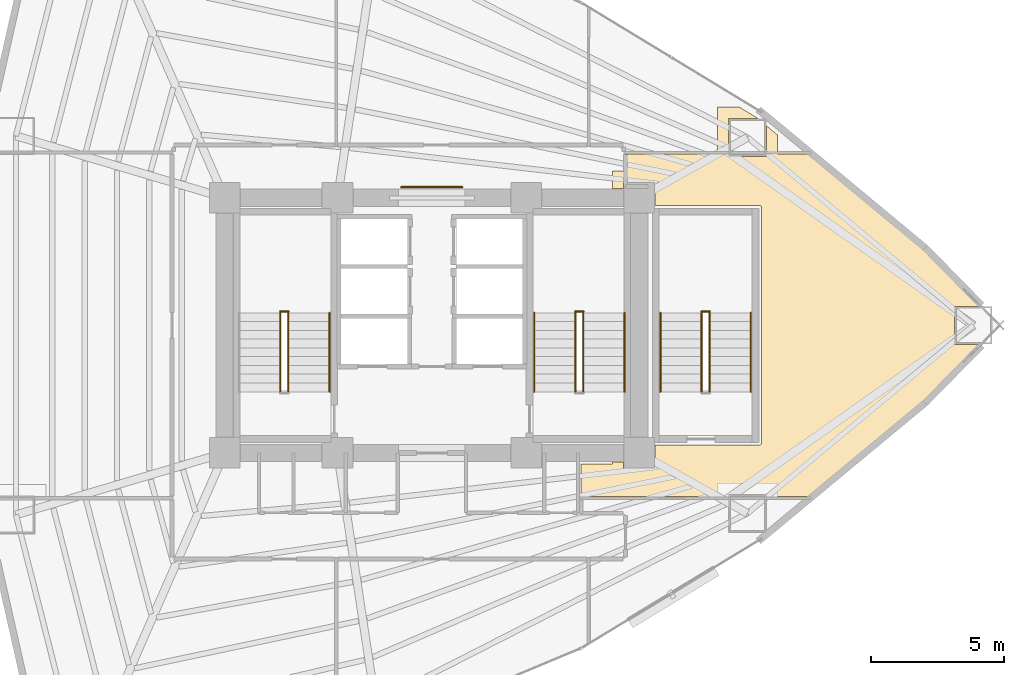
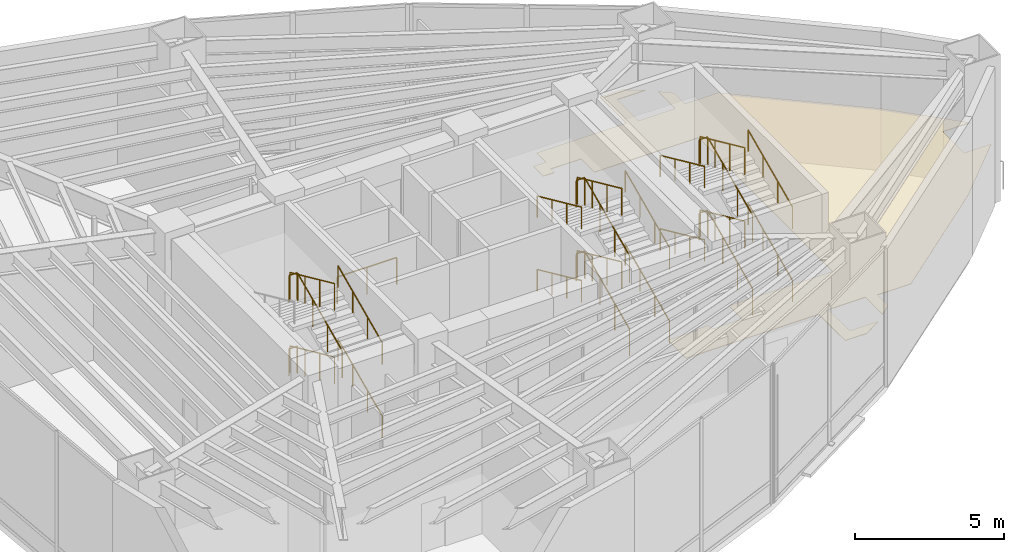
# One storey, part 18 of 19: 28 railings, 1 covering.
"""IFC4 building model written with IfcOpenShell, lengths in metres."""

import ifcopenshell
import ifcopenshell.guid

model = None  # the IFC model being written
_history = None  # IfcOwnerHistory: only IFC2X3 demands one
_inside = {}  # id of a spatial element -> (the spatial element, [elements in it])
_under = {}  # id of a project, library or spatial element -> (it, [spatial elements below it])
_declared = {}  # id of a project -> (the project, [libraries it declares])
_typed = {}  # id of a type object -> (the type object, [elements of that type])
_made_of = {}  # id of a material, layer set ... -> (it, [elements and type objects made of it])


def new_model(schema):
    """Start an empty IFC model of exactly this schema.

    Asked for "IFC4X3", IfcOpenShell would pick the latest addendum, in which some entities
    have other attributes; the version numbers below select the first issue.
    IFC2X3 requires an IfcOwnerHistory on every rooted entity: one is made here for all.
    """
    global model, _history
    if schema == "IFC4X3":
        model = ifcopenshell.file(schema_version=(4, 3, 0, 0))
    else:
        model = ifcopenshell.file(schema=schema)
    _inside.clear()
    _under.clear()
    _declared.clear()
    _typed.clear()
    _made_of.clear()
    _history = None
    if model.schema == "IFC2X3":
        org = make("IfcOrganization", Name="unknown")
        user = make(
            "IfcPersonAndOrganization",
            ThePerson=make("IfcPerson", FamilyName="unknown"),
            TheOrganization=org,
        )
        app = make(
            "IfcApplication",
            ApplicationDeveloper=org,
            Version="unknown",
            ApplicationFullName="unknown",
            ApplicationIdentifier="unknown",
        )
        _history = make(
            "IfcOwnerHistory",
            OwningUser=user,
            OwningApplication=app,
            ChangeAction="ADDED",
            CreationDate=0,
        )
    return model


def make(cls, **values):
    """One entity of the class cls with the attributes given. An attribute that is None is left unset."""
    return model.create_entity(
        cls, **{name: value for name, value in values.items() if value is not None}
    )


def rooted(cls, **values):
    """An entity with a GlobalId (a new one), such as an element, a storey or a relation."""
    return make(cls, GlobalId=ifcopenshell.guid.new(), OwnerHistory=_history, **values)


def si_unit(unit_type, name, prefix=None):
    """IfcSIUnit, for example si_unit("LENGTHUNIT", "METRE", prefix="MILLI")."""
    return make("IfcSIUnit", UnitType=unit_type, Prefix=prefix, Name=name)


def assignment(units):
    """IfcUnitAssignment: the units of a project."""
    return None if units is None else make("IfcUnitAssignment", Units=units)


def point(xyz):
    """IfcCartesianPoint."""
    return None if xyz is None else make("IfcCartesianPoint", Coordinates=xyz)


def direction(xyz):
    """IfcDirection."""
    return None if xyz is None else make("IfcDirection", DirectionRatios=xyz)


def frame(location, z_axis=None, x_axis=None):
    """IfcAxis2Placement3D, a coordinate frame: its origin and axes. An axis left out is left unset."""
    return make(
        "IfcAxis2Placement3D",
        Location=point(location),
        Axis=direction(z_axis),
        RefDirection=direction(x_axis),
    )


def frame_2d(location, x_axis=None):
    """IfcAxis2Placement2D, a coordinate frame in the plane: its origin and x axis."""
    return make(
        "IfcAxis2Placement2D", Location=point(location), RefDirection=direction(x_axis)
    )


def origin():
    """The frame at (0, 0, 0) with its axes left unset."""
    return frame((0.0, 0.0, 0.0))


def origin_2d():
    """The frame at (0, 0) in the plane with its x axis left unset."""
    return frame_2d((0.0, 0.0))


def place(relative_to, where):
    """IfcLocalPlacement: puts the frame where relative to a parent placement (None: the world)."""
    return make(
        "IfcLocalPlacement", PlacementRelTo=relative_to, RelativePlacement=where
    )


def context(
    kind, dimensions, precision=None, world=None, true_north=None, identifier=None
):
    """IfcGeometricRepresentationContext, for example the 3D "Model" context."""
    return make(
        "IfcGeometricRepresentationContext",
        ContextIdentifier=identifier,
        ContextType=kind,
        CoordinateSpaceDimension=dimensions,
        Precision=precision,
        WorldCoordinateSystem=world,
        TrueNorth=true_north,
    )


def subcontext(parent, identifier, kind, view, scale=None):
    """IfcGeometricRepresentationSubContext, for example "Body" below "Model"."""
    return make(
        "IfcGeometricRepresentationSubContext",
        ContextIdentifier=identifier,
        ContextType=kind,
        ParentContext=parent,
        TargetScale=scale,
        TargetView=view,
    )


def project(units=None, contexts=None):
    """IfcProject with its units and contexts."""
    return rooted(
        "IfcProject",
        Name="project",
        RepresentationContexts=contexts,
        UnitsInContext=assignment(units),
    )


def spatial(cls, under=None, at=None, **own):
    """A site, building, storey or space (cls), placed at a placement, below another one or the project."""
    s = rooted(cls, ObjectPlacement=at, **own)
    if under is not None:
        _under.setdefault(under.id(), (under, []))[1].append(s)
    return s


def polyline(points):
    """IfcPolyline through the points."""
    return make("IfcPolyline", Points=[point(p) for p in points])


def profile(cls, at=None, kind="AREA", **sizes):
    """A parametric profile (cls). Its sizes go by their IFC names, for example OverallWidth=200.0."""
    return make(cls, ProfileType=kind, Position=at, **sizes)


def circle(**sizes):
    """IfcCircleProfileDef."""
    return profile("IfcCircleProfileDef", **sizes)


def outline(outer, holes=None, kind="AREA"):
    """IfcArbitraryClosedProfileDef: a profile drawn as a closed curve; with holes, ...WithVoids."""
    if holes is None:
        return make("IfcArbitraryClosedProfileDef", ProfileType=kind, OuterCurve=outer)
    return make(
        "IfcArbitraryProfileDefWithVoids",
        ProfileType=kind,
        OuterCurve=outer,
        InnerCurves=holes,
    )


def extrude(swept, where, along, depth):
    """IfcExtrudedAreaSolid: the profile swept, set in the frame where, extruded along a direction by depth."""
    return make(
        "IfcExtrudedAreaSolid",
        SweptArea=swept,
        Position=where,
        ExtrudedDirection=direction(along),
        Depth=depth,
    )


def shape(context_of_items, identifier, shape_type, items):
    """IfcShapeRepresentation: the items that make up one representation, for example the "Body"."""
    return make(
        "IfcShapeRepresentation",
        ContextOfItems=context_of_items,
        RepresentationIdentifier=identifier,
        RepresentationType=shape_type,
        Items=items,
    )


def material(Name=None, Category=None):
    """IfcMaterial."""
    return make("IfcMaterial", Name=Name, Category=Category)


def layer(
    of_material, thickness, ventilated=None, Name=None, Category=None, Priority=None
):
    """IfcMaterialLayer: one layer of a wall or slab, of a material (None: an air gap)."""
    return make(
        "IfcMaterialLayer",
        Material=of_material,
        LayerThickness=thickness,
        IsVentilated=ventilated,
        Name=Name,
        Category=Category,
        Priority=Priority,
    )


def layer_set(layers, Name=None):
    """IfcMaterialLayerSet."""
    return make("IfcMaterialLayerSet", MaterialLayers=layers, LayerSetName=Name)


def made_of(thing, what):
    """Note that an element or type object is made of a material, layer set ...; save() writes the relation."""
    if what is not None:
        _made_of.setdefault(what.id(), (what, []))[1].append(thing)
    return thing


def type_object(cls, material=None, **own):
    """A type object (cls), such as IfcWallType, which elements share."""
    return made_of(rooted(cls, **own), material)


def element(
    cls,
    number,
    at=None,
    inside=None,
    cuts=None,
    type_object=None,
    material=None,
    context=None,
    identifier="Body",
    shape_type=None,
    held_by="IfcProductDefinitionShape",
    body=None,
    shapes=None,
    **own,
):
    """One element of the class cls, such as IfcWall. Its Tag is "e" and its number.

    at: its placement. inside: the storey or other place that contains it. cuts: it is an
    opening in that element (IfcRelVoidsElement). A single representation is given by context,
    identifier, shape_type and body (its items); several are given by shapes. held_by: the class
    of the entity that holds the representations. save() writes the other relations.
    """
    e = rooted(cls, Tag="e%d" % number, ObjectPlacement=at, **own)
    if body is not None:
        shapes = [shape(context, identifier, shape_type, body)]
    if shapes is not None:
        e.Representation = make(held_by, Representations=shapes)
    if inside is not None:
        _inside.setdefault(inside.id(), (inside, []))[1].append(e)
    if cuts is not None:
        rooted(
            "IfcRelVoidsElement", RelatingBuildingElement=cuts, RelatedOpeningElement=e
        )
    if type_object is not None:
        _typed.setdefault(type_object.id(), (type_object, []))[1].append(e)
    return made_of(e, material)


def aggregate(whole, parts):
    """IfcRelAggregates: a whole, such as a stair, and the parts it consists of."""
    return rooted("IfcRelAggregates", RelatingObject=whole, RelatedObjects=parts)


def save(model, path):
    """Write the relations noted so far, then the file.

    IfcRelAggregates (storeys below a building ...), IfcRelContainedInSpatialStructure (elements
    in a storey), IfcRelDefinesByType, IfcRelAssociatesMaterial and IfcRelDeclares: one each for
    every whole, place, type object, material and project.
    """
    for whole, parts in _under.values():
        aggregate(whole, parts)
    for where, things in _inside.values():
        rooted(
            "IfcRelContainedInSpatialStructure",
            RelatedElements=things,
            RelatingStructure=where,
        )
    for kind, things in _typed.values():
        rooted("IfcRelDefinesByType", RelatedObjects=things, RelatingType=kind)
    for what, things in _made_of.values():
        rooted("IfcRelAssociatesMaterial", RelatedObjects=things, RelatingMaterial=what)
    for by, libraries in _declared.values():
        rooted("IfcRelDeclares", RelatingContext=by, RelatedDefinitions=libraries)
    model.write(path)


model = new_model("IFC4")

# Units and contexts
model_context = context("Model", 3, precision=1e-05, world=origin(), true_north=direction((0.0, 1.0)))
body_context = subcontext(model_context, "Body", "Model", "MODEL_VIEW")
ifc_project = project(units=[si_unit("LENGTHUNIT", "METRE"), si_unit("AREAUNIT", "SQUARE_METRE"), si_unit("VOLUMEUNIT", "CUBIC_METRE"), si_unit("PLANEANGLEUNIT", "RADIAN"), si_unit("MASSUNIT", "GRAM", prefix="KILO")], contexts=[model_context])

# Site, building, storey
site_placement = place(None, origin())
site = spatial("IfcSite", under=ifc_project, at=site_placement, CompositionType="ELEMENT")
building_placement = place(site_placement, origin())
building = spatial("IfcBuilding", under=site, at=building_placement, Name="Menara Vayukalpa", CompositionType="ELEMENT")
storey_placement = place(building_placement, frame((0.0, 0.0, 12.0)))
storey = spatial("IfcBuildingStorey", under=building, at=storey_placement, Name="L02", CompositionType="ELEMENT", Elevation=12.0)

# Covering
ifc_material_1 = material(Name="Mineral Fibre Acoustic Ceiling Tile", Category="masonry")
ifc_layer = layer(ifc_material_1, 0.02490234375)
ifc_layer_set = layer_set([ifc_layer], Name="Mineral Fibre Acoustic Ceiling Tile")
covering_type = type_object("IfcCoveringType", Name="COV-CLG1", PredefinedType="CEILING", material=ifc_layer_set)
covering_placement = place(storey_placement, frame((0.0, 0.0, 2.449951171875)))
element("IfcCovering", 1, at=covering_placement, inside=storey, type_object=covering_type, Name="L02 Podium Operations Support Suite Acoustic Ceiling", PredefinedType="CEILING", context=body_context, shape_type="SweptSolid", body=[
    extrude(outline(polyline([(31.218994140625, 15.56005859375), (31.218017578125, 15.560302734375), (31.217041015625, 15.560302734375), (31.21630859375, 15.560791015625), (31.21533203125, 15.561279296875), (31.21435546875, 15.561767578125), (31.213623046875, 15.562255859375), (31.212890625, 15.56298828125), (31.21240234375, 15.563720703125), (31.211669921875, 15.564453125), (31.211181640625, 15.565185546875), (31.210693359375, 15.566162109375), (31.21044921875, 15.567138671875), (31.210205078125, 15.568115234375), (31.2099609375, 15.569091796875), (31.2099609375, 15.570068359375), (31.2099609375, 16.780029296875), (31.2099609375, 16.781005859375), (31.210205078125, 16.781982421875), (31.21044921875, 16.782958984375), (31.210693359375, 16.78369140625), (31.211181640625, 16.78466796875), (31.211669921875, 16.78564453125), (31.21240234375, 16.786376953125), (31.212890625, 16.787109375), (31.213623046875, 16.78759765625), (31.21435546875, 16.788330078125), (31.21533203125, 16.788818359375), (31.21630859375, 16.789306640625), (31.217041015625, 16.78955078125), (31.218017578125, 16.789794921875), (31.218994140625, 16.7900390625), (31.219970703125, 16.7900390625), (32.389892578125, 16.7900390625), (32.389892578125, 16.85009765625), (32.81005859375, 16.85009765625), (32.81005859375, 16.610107421875), (33.989990234375, 16.610107421875), (33.989990234375, 17.5), (37.9296875, 17.5), (37.936767578125, 17.50048828125), (37.943603515625, 17.501220703125), (37.9501953125, 17.5029296875), (37.956787109375, 17.50537109375), (37.962890625, 17.50830078125), (37.96875, 17.51171875), (37.974609375, 17.51611328125), (37.9794921875, 17.5205078125), (37.98388671875, 17.525390625), (37.98828125, 17.53125), (37.99169921875, 17.537109375), (37.99462890625, 17.543212890625), (37.9970703125, 17.5498046875), (37.998779296875, 17.556396484375), (37.99951171875, 17.563232421875), (38.0, 17.5703125), (38.0, 26.4296875), (37.99951171875, 26.436767578125), (37.998779296875, 26.443603515625), (37.9970703125, 26.4501953125), (37.99462890625, 26.456787109375), (37.99169921875, 26.462890625), (37.98828125, 26.46875), (37.98388671875, 26.474609375), (37.9794921875, 26.4794921875), (37.974609375, 26.48388671875), (37.96875, 26.48828125), (37.962890625, 26.49169921875), (37.956787109375, 26.49462890625), (37.9501953125, 26.4970703125), (37.943603515625, 26.498779296875), (37.936767578125, 26.49951171875), (37.9296875, 26.5), (33.989990234375, 26.5), (33.989990234375, 27.389892578125), (32.81005859375, 27.389892578125), (32.81005859375, 27.14990234375), (32.389892578125, 27.14990234375), (32.389892578125, 27.81005859375), (32.8701171875, 27.81005859375), (32.8701171875, 28.429931640625), (32.8701171875, 28.430908203125), (32.8701171875, 28.431884765625), (32.870361328125, 28.432861328125), (32.870849609375, 28.433837890625), (32.87109375, 28.434814453125), (32.87158203125, 28.435546875), (32.872314453125, 28.436279296875), (32.872802734375, 28.43701171875), (32.873779296875, 28.437744140625), (32.87451171875, 28.438232421875), (32.875244140625, 28.438720703125), (32.876220703125, 28.439208984375), (32.877197265625, 28.439697265625), (32.8779296875, 28.439697265625), (32.87890625, 28.43994140625), (32.8798828125, 28.43994140625), (36.339111328125, 28.43994140625), (36.339111328125, 30.205810546875), (37.17919921875, 30.205810546875), (37.810302734375, 29.822509765625), (37.8544921875, 29.785888671875), (36.759033203125, 29.785888671875), (36.759033203125, 28.35595703125), (38.18896484375, 28.35595703125), (38.18896484375, 29.50830078125), (38.60888671875, 29.16015625), (38.60888671875, 28.43994140625), (39.859130859375, 28.43994140625), (39.864990234375, 28.440185546875), (39.870849609375, 28.441162109375), (39.876708984375, 28.442626953125), (39.882080078125, 28.444580078125), (39.884521484375, 28.445556640625), (39.88525390625, 28.446044921875), (39.885986328125, 28.4462890625), (39.88720703125, 28.446533203125), (39.887939453125, 28.446533203125), (39.888916015625, 28.446533203125), (39.889892578125, 28.446533203125), (39.890869140625, 28.4462890625), (39.891845703125, 28.446044921875), (39.892578125, 28.44580078125), (39.8935546875, 28.4453125), (39.894287109375, 28.44482421875), (39.89501953125, 28.4443359375), (44.1630859375, 24.90478515625), (44.163818359375, 24.904052734375), (46.313232421875, 22.715087890625), (45.26416015625, 22.715087890625), (45.26416015625, 21.284912109375), (46.313232421875, 21.284912109375), (44.163818359375, 19.095947265625), (44.1630859375, 19.09521484375), (39.89501953125, 15.5556640625), (39.894287109375, 15.55517578125), (39.8935546875, 15.5546875), (39.892578125, 15.55419921875), (39.891845703125, 15.553955078125), (39.890869140625, 15.5537109375), (39.889892578125, 15.553466796875), (39.888916015625, 15.553466796875), (39.887939453125, 15.553466796875), (39.88720703125, 15.553466796875), (39.885986328125, 15.5537109375), (39.88525390625, 15.553955078125), (39.884521484375, 15.554443359375), (39.882080078125, 15.555419921875), (39.876708984375, 15.557373046875), (39.870849609375, 15.558837890625), (39.864990234375, 15.559814453125), (39.859130859375, 15.56005859375), (38.60888671875, 15.56005859375), (38.60888671875, 14.83984375), (38.18896484375, 14.49169921875), (38.18896484375, 15.64404296875), (36.759033203125, 15.64404296875), (36.759033203125, 14.214111328125), (37.8544921875, 14.214111328125), (37.810302734375, 14.177490234375), (37.17919921875, 13.794189453125), (36.339111328125, 13.794189453125), (36.339111328125, 15.56005859375), (31.219970703125, 15.56005859375), (31.218994140625, 15.56005859375)])), origin(), (0.0, 0.0, 1.0), 0.025146484375),
])

# Railings
ifc_material_2 = material(Name="Laminated Glass Interior Balustrade", Category="glass")
railing_type_1 = type_object("IfcRailingType", Name="RLG-BAL110", PredefinedType="BALUSTRADE", material=ifc_material_2)
railing_1_placement = place(storey_placement, frame((24.449951171875, 27.199951171875, 0.0)))
element("IfcRailing", 2, at=railing_1_placement, inside=storey, type_object=railing_type_1, Name="L02 Concourse Feature Glass Balustrade", PredefinedType="BALUSTRADE", context=body_context, shape_type="SweptSolid", body=[
    extrude(circle(Radius=0.02392578125, at=origin_2d()), frame((0.0, 0.0, 1.09619140625), z_axis=(1.0, 0.0, 0.0), x_axis=(0.0, 1.0, 0.0)), (0.0, 0.0, 1.0), 2.300048828125),
    extrude(circle(Radius=0.02099609375, at=origin_2d()), origin(), (0.0, 0.0, 1.0), 1.072021484375),
    extrude(circle(Radius=0.02099609375, at=origin_2d()), frame((1.14990234375, 0.0, 0.0)), (0.0, 0.0, 1.0), 1.072021484375),
    extrude(circle(Radius=0.02099609375, at=origin_2d()), frame((2.300048828125, 0.0, 0.0)), (0.0, 0.0, 1.0), 1.072021484375),
])
ifc_material_3 = material(Name="Powder-Coated Galvanised Steel Guardrail", Category="steel")
railing_type_2 = type_object("IfcRailingType", Name="RLG-STG110", PredefinedType="GUARDRAIL", material=ifc_material_3)
railing_2_placement = place(storey_placement, frame((20.2099609375, 22.52001953125, 1.5)))
element("IfcRailing", 3, at=railing_2_placement, inside=storey, type_object=railing_type_2, Name="L02 ST-1 stair guard 2", PredefinedType="GUARDRAIL", context=body_context, shape_type="SweptSolid", body=[
    extrude(circle(Radius=0.02392578125, at=origin_2d()), frame((0.0, 0.0, 1.09619140625), z_axis=(-1.0, 0.0, 0.0), x_axis=(0.0, -1.0, 0.0)), (0.0, 0.0, 1.0), 0.320068359375),
    extrude(circle(Radius=0.02099609375, at=origin_2d()), origin(), (0.0, 0.0, 1.0), 1.072021484375),
    extrude(circle(Radius=0.02099609375, at=origin_2d()), frame((-0.320068359375, 0.0, 0.0)), (0.0, 0.0, 1.0), 1.072021484375),
])
railing_3_placement = place(storey_placement, frame((19.89990234375, 22.469970703125, 1.64990234375)))
element("IfcRailing", 4, at=railing_3_placement, inside=storey, type_object=railing_type_2, Name="L02 ST-1 stair guard 3", PredefinedType="GUARDRAIL", context=body_context, shape_type="SweptSolid", body=[
    extrude(circle(Radius=0.02392578125, at=origin_2d()), frame((0.0, 0.0, 1.09619140625), z_axis=(0.0, -0.910353663012, 0.413831134933), x_axis=(1.0, 0.0, 0.0)), (0.0, 0.0, 1.0), 3.262451171875),
    extrude(circle(Radius=0.02099609375, at=origin_2d()), origin(), (0.0, 0.0, 1.0), 1.072021484375),
    extrude(circle(Radius=0.02099609375, at=origin_2d()), frame((0.0, -0.989990234375, 0.449951171875)), (0.0, 0.0, 1.0), 1.072021484375),
    extrude(circle(Radius=0.02099609375, at=origin_2d()), frame((0.0, -1.97998046875, 0.900146484375)), (0.0, 0.0, 1.0), 1.072021484375),
    extrude(circle(Radius=0.02099609375, at=origin_2d()), frame((0.0, -2.969970703125, 1.35009765625)), (0.0, 0.0, 1.0), 1.072021484375),
])
railing_4_placement = place(storey_placement, frame((20.199951171875, 19.5, 3.14990234375)))
element("IfcRailing", 5, at=railing_4_placement, inside=storey, type_object=railing_type_2, Name="L02 ST-1 stair guard 5", PredefinedType="GUARDRAIL", context=body_context, shape_type="SweptSolid", body=[
    extrude(circle(Radius=0.02392578125, at=origin_2d()), frame((0.0, 0.0, 1.09619140625), z_axis=(0.0, 0.910353663012, 0.413831134933), x_axis=(-1.0, 0.0, 0.0)), (0.0, 0.0, 1.0), 3.262451171875),
    extrude(circle(Radius=0.02099609375, at=origin_2d()), origin(), (0.0, 0.0, 1.0), 1.072021484375),
    extrude(circle(Radius=0.02099609375, at=origin_2d()), frame((0.0, 0.989990234375, 0.449951171875)), (0.0, 0.0, 1.0), 1.072021484375),
    extrude(circle(Radius=0.02099609375, at=origin_2d()), frame((0.0, 1.97998046875, 0.900146484375)), (0.0, 0.0, 1.0), 1.072021484375),
    extrude(circle(Radius=0.02099609375, at=origin_2d()), frame((0.0, 2.969970703125, 1.35009765625)), (0.0, 0.0, 1.0), 1.072021484375),
])
railing_5_placement = place(storey_placement, frame((20.2099609375, 22.52001953125, 4.5)))
element("IfcRailing", 6, at=railing_5_placement, inside=storey, type_object=railing_type_2, Name="L02 ST-1 stair guard 6", PredefinedType="GUARDRAIL", context=body_context, shape_type="SweptSolid", body=[
    extrude(circle(Radius=0.02392578125, at=origin_2d()), frame((0.0, 0.0, 1.09619140625), z_axis=(-1.0, 0.0, 0.0), x_axis=(0.0, -1.0, 0.0)), (0.0, 0.0, 1.0), 0.320068359375),
    extrude(circle(Radius=0.02099609375, at=origin_2d()), origin(), (0.0, 0.0, 1.0), 1.072021484375),
    extrude(circle(Radius=0.02099609375, at=origin_2d()), frame((-0.320068359375, 0.0, 0.0)), (0.0, 0.0, 1.0), 1.072021484375),
])
railing_6_placement = place(storey_placement, frame((19.89990234375, 22.469970703125, 4.64990234375)))
element("IfcRailing", 7, at=railing_6_placement, inside=storey, type_object=railing_type_2, Name="L02 ST-1 stair guard 7", PredefinedType="GUARDRAIL", context=body_context, shape_type="SweptSolid", body=[
    extrude(circle(Radius=0.02392578125, at=origin_2d()), frame((0.0, 0.0, 1.09619140625), z_axis=(0.0, -0.910353663012, 0.413831134933), x_axis=(1.0, 0.0, 0.0)), (0.0, 0.0, 1.0), 3.262451171875),
    extrude(circle(Radius=0.02099609375, at=origin_2d()), origin(), (0.0, 0.0, 1.0), 1.072021484375),
    extrude(circle(Radius=0.02099609375, at=origin_2d()), frame((0.0, -0.989990234375, 0.449951171875)), (0.0, 0.0, 1.0), 1.072021484375),
    extrude(circle(Radius=0.02099609375, at=origin_2d()), frame((0.0, -1.97998046875, 0.900146484375)), (0.0, 0.0, 1.0), 1.072021484375),
    extrude(circle(Radius=0.02099609375, at=origin_2d()), frame((0.0, -2.969970703125, 1.35009765625)), (0.0, 0.0, 1.0), 1.072021484375),
])
railing_7_placement = place(storey_placement, frame((31.300048828125, 19.5, 0.14990234375)))
element("IfcRailing", 8, at=railing_7_placement, inside=storey, type_object=railing_type_2, Name="L02 ST-2 stair guard 1", PredefinedType="GUARDRAIL", context=body_context, shape_type="SweptSolid", body=[
    extrude(circle(Radius=0.02392578125, at=origin_2d()), frame((0.0, 0.0, 1.09619140625), z_axis=(0.0, 0.910353663012, 0.413831134933), x_axis=(-1.0, 0.0, 0.0)), (0.0, 0.0, 1.0), 3.262451171875),
    extrude(circle(Radius=0.02099609375, at=origin_2d()), origin(), (0.0, 0.0, 1.0), 1.072021484375),
    extrude(circle(Radius=0.02099609375, at=origin_2d()), frame((0.0, 0.989990234375, 0.449951171875)), (0.0, 0.0, 1.0), 1.072021484375),
    extrude(circle(Radius=0.02099609375, at=origin_2d()), frame((0.0, 1.97998046875, 0.900146484375)), (0.0, 0.0, 1.0), 1.072021484375),
    extrude(circle(Radius=0.02099609375, at=origin_2d()), frame((0.0, 2.969970703125, 1.35009765625)), (0.0, 0.0, 1.0), 1.072021484375),
])
railing_8_placement = place(storey_placement, frame((31.31005859375, 22.52001953125, 1.5)))
element("IfcRailing", 9, at=railing_8_placement, inside=storey, type_object=railing_type_2, Name="L02 ST-2 stair guard 2", PredefinedType="GUARDRAIL", context=body_context, shape_type="SweptSolid", body=[
    extrude(circle(Radius=0.02392578125, at=origin_2d()), frame((0.0, 0.0, 1.09619140625), z_axis=(-1.0, 0.0, 0.0), x_axis=(0.0, -1.0, 0.0)), (0.0, 0.0, 1.0), 0.320068359375),
    extrude(circle(Radius=0.02099609375, at=origin_2d()), origin(), (0.0, 0.0, 1.0), 1.072021484375),
    extrude(circle(Radius=0.02099609375, at=origin_2d()), frame((-0.320068359375, 0.0, 0.0)), (0.0, 0.0, 1.0), 1.072021484375),
])
railing_9_placement = place(storey_placement, frame((31.0, 22.469970703125, 1.64990234375)))
element("IfcRailing", 10, at=railing_9_placement, inside=storey, type_object=railing_type_2, Name="L02 ST-2 stair guard 3", PredefinedType="GUARDRAIL", context=body_context, shape_type="SweptSolid", body=[
    extrude(circle(Radius=0.02392578125, at=origin_2d()), frame((0.0, 0.0, 1.09619140625), z_axis=(0.0, -0.910353663012, 0.413831134933), x_axis=(1.0, 0.0, 0.0)), (0.0, 0.0, 1.0), 3.262451171875),
    extrude(circle(Radius=0.02099609375, at=origin_2d()), origin(), (0.0, 0.0, 1.0), 1.072021484375),
    extrude(circle(Radius=0.02099609375, at=origin_2d()), frame((0.0, -0.989990234375, 0.449951171875)), (0.0, 0.0, 1.0), 1.072021484375),
    extrude(circle(Radius=0.02099609375, at=origin_2d()), frame((0.0, -1.97998046875, 0.900146484375)), (0.0, 0.0, 1.0), 1.072021484375),
    extrude(circle(Radius=0.02099609375, at=origin_2d()), frame((0.0, -2.969970703125, 1.35009765625)), (0.0, 0.0, 1.0), 1.072021484375),
])
railing_10_placement = place(storey_placement, frame((31.300048828125, 19.5, 3.14990234375)))
element("IfcRailing", 11, at=railing_10_placement, inside=storey, type_object=railing_type_2, Name="L02 ST-2 stair guard 5", PredefinedType="GUARDRAIL", context=body_context, shape_type="SweptSolid", body=[
    extrude(circle(Radius=0.02392578125, at=origin_2d()), frame((0.0, 0.0, 1.09619140625), z_axis=(0.0, 0.910353663012, 0.413831134933), x_axis=(-1.0, 0.0, 0.0)), (0.0, 0.0, 1.0), 3.262451171875),
    extrude(circle(Radius=0.02099609375, at=origin_2d()), origin(), (0.0, 0.0, 1.0), 1.072021484375),
    extrude(circle(Radius=0.02099609375, at=origin_2d()), frame((0.0, 0.989990234375, 0.449951171875)), (0.0, 0.0, 1.0), 1.072021484375),
    extrude(circle(Radius=0.02099609375, at=origin_2d()), frame((0.0, 1.97998046875, 0.900146484375)), (0.0, 0.0, 1.0), 1.072021484375),
    extrude(circle(Radius=0.02099609375, at=origin_2d()), frame((0.0, 2.969970703125, 1.35009765625)), (0.0, 0.0, 1.0), 1.072021484375),
])
railing_11_placement = place(storey_placement, frame((31.31005859375, 22.52001953125, 4.5)))
element("IfcRailing", 12, at=railing_11_placement, inside=storey, type_object=railing_type_2, Name="L02 ST-2 stair guard 6", PredefinedType="GUARDRAIL", context=body_context, shape_type="SweptSolid", body=[
    extrude(circle(Radius=0.02392578125, at=origin_2d()), frame((0.0, 0.0, 1.09619140625), z_axis=(-1.0, 0.0, 0.0), x_axis=(0.0, -1.0, 0.0)), (0.0, 0.0, 1.0), 0.320068359375),
    extrude(circle(Radius=0.02099609375, at=origin_2d()), origin(), (0.0, 0.0, 1.0), 1.072021484375),
    extrude(circle(Radius=0.02099609375, at=origin_2d()), frame((-0.320068359375, 0.0, 0.0)), (0.0, 0.0, 1.0), 1.072021484375),
])
railing_12_placement = place(storey_placement, frame((31.0, 22.469970703125, 4.64990234375)))
element("IfcRailing", 13, at=railing_12_placement, inside=storey, type_object=railing_type_2, Name="L02 ST-2 stair guard 7", PredefinedType="GUARDRAIL", context=body_context, shape_type="SweptSolid", body=[
    extrude(circle(Radius=0.02392578125, at=origin_2d()), frame((0.0, 0.0, 1.09619140625), z_axis=(0.0, -0.910353663012, 0.413831134933), x_axis=(1.0, 0.0, 0.0)), (0.0, 0.0, 1.0), 3.262451171875),
    extrude(circle(Radius=0.02099609375, at=origin_2d()), origin(), (0.0, 0.0, 1.0), 1.072021484375),
    extrude(circle(Radius=0.02099609375, at=origin_2d()), frame((0.0, -0.989990234375, 0.449951171875)), (0.0, 0.0, 1.0), 1.072021484375),
    extrude(circle(Radius=0.02099609375, at=origin_2d()), frame((0.0, -1.97998046875, 0.900146484375)), (0.0, 0.0, 1.0), 1.072021484375),
    extrude(circle(Radius=0.02099609375, at=origin_2d()), frame((0.0, -2.969970703125, 1.35009765625)), (0.0, 0.0, 1.0), 1.072021484375),
])
railing_13_placement = place(storey_placement, frame((36.050048828125, 19.5, 0.14990234375)))
element("IfcRailing", 14, at=railing_13_placement, inside=storey, type_object=railing_type_2, Name="L02 ST-3 stair guard 1", PredefinedType="GUARDRAIL", context=body_context, shape_type="SweptSolid", body=[
    extrude(circle(Radius=0.02392578125, at=origin_2d()), frame((0.0, 0.0, 1.09619140625), z_axis=(0.0, 0.910353663012, 0.413831134933), x_axis=(-1.0, 0.0, 0.0)), (0.0, 0.0, 1.0), 3.262451171875),
    extrude(circle(Radius=0.02099609375, at=origin_2d()), origin(), (0.0, 0.0, 1.0), 1.072021484375),
    extrude(circle(Radius=0.02099609375, at=origin_2d()), frame((0.0, 0.989990234375, 0.449951171875)), (0.0, 0.0, 1.0), 1.072021484375),
    extrude(circle(Radius=0.02099609375, at=origin_2d()), frame((0.0, 1.97998046875, 0.900146484375)), (0.0, 0.0, 1.0), 1.072021484375),
    extrude(circle(Radius=0.02099609375, at=origin_2d()), frame((0.0, 2.969970703125, 1.35009765625)), (0.0, 0.0, 1.0), 1.072021484375),
])
railing_14_placement = place(storey_placement, frame((36.06005859375, 22.52001953125, 1.5)))
element("IfcRailing", 15, at=railing_14_placement, inside=storey, type_object=railing_type_2, Name="L02 ST-3 stair guard 2", PredefinedType="GUARDRAIL", context=body_context, shape_type="SweptSolid", body=[
    extrude(circle(Radius=0.02392578125, at=origin_2d()), frame((0.0, 0.0, 1.09619140625), z_axis=(-1.0, 0.0, 0.0), x_axis=(0.0, -1.0, 0.0)), (0.0, 0.0, 1.0), 0.320068359375),
    extrude(circle(Radius=0.02099609375, at=origin_2d()), origin(), (0.0, 0.0, 1.0), 1.072021484375),
    extrude(circle(Radius=0.02099609375, at=origin_2d()), frame((-0.320068359375, 0.0, 0.0)), (0.0, 0.0, 1.0), 1.072021484375),
])
railing_15_placement = place(storey_placement, frame((35.75, 22.469970703125, 1.64990234375)))
element("IfcRailing", 16, at=railing_15_placement, inside=storey, type_object=railing_type_2, Name="L02 ST-3 stair guard 3", PredefinedType="GUARDRAIL", context=body_context, shape_type="SweptSolid", body=[
    extrude(circle(Radius=0.02392578125, at=origin_2d()), frame((0.0, 0.0, 1.09619140625), z_axis=(0.0, -0.910353663012, 0.413831134933), x_axis=(1.0, 0.0, 0.0)), (0.0, 0.0, 1.0), 3.262451171875),
    extrude(circle(Radius=0.02099609375, at=origin_2d()), origin(), (0.0, 0.0, 1.0), 1.072021484375),
    extrude(circle(Radius=0.02099609375, at=origin_2d()), frame((0.0, -0.989990234375, 0.449951171875)), (0.0, 0.0, 1.0), 1.072021484375),
    extrude(circle(Radius=0.02099609375, at=origin_2d()), frame((0.0, -1.97998046875, 0.900146484375)), (0.0, 0.0, 1.0), 1.072021484375),
    extrude(circle(Radius=0.02099609375, at=origin_2d()), frame((0.0, -2.969970703125, 1.35009765625)), (0.0, 0.0, 1.0), 1.072021484375),
])
railing_16_placement = place(storey_placement, frame((36.050048828125, 19.5, 3.14990234375)))
element("IfcRailing", 17, at=railing_16_placement, inside=storey, type_object=railing_type_2, Name="L02 ST-3 stair guard 5", PredefinedType="GUARDRAIL", context=body_context, shape_type="SweptSolid", body=[
    extrude(circle(Radius=0.02392578125, at=origin_2d()), frame((0.0, 0.0, 1.09619140625), z_axis=(0.0, 0.910353663012, 0.413831134933), x_axis=(-1.0, 0.0, 0.0)), (0.0, 0.0, 1.0), 3.262451171875),
    extrude(circle(Radius=0.02099609375, at=origin_2d()), origin(), (0.0, 0.0, 1.0), 1.072021484375),
    extrude(circle(Radius=0.02099609375, at=origin_2d()), frame((0.0, 0.989990234375, 0.449951171875)), (0.0, 0.0, 1.0), 1.072021484375),
    extrude(circle(Radius=0.02099609375, at=origin_2d()), frame((0.0, 1.97998046875, 0.900146484375)), (0.0, 0.0, 1.0), 1.072021484375),
    extrude(circle(Radius=0.02099609375, at=origin_2d()), frame((0.0, 2.969970703125, 1.35009765625)), (0.0, 0.0, 1.0), 1.072021484375),
])
railing_17_placement = place(storey_placement, frame((36.06005859375, 22.52001953125, 4.5)))
element("IfcRailing", 18, at=railing_17_placement, inside=storey, type_object=railing_type_2, Name="L02 ST-3 stair guard 6", PredefinedType="GUARDRAIL", context=body_context, shape_type="SweptSolid", body=[
    extrude(circle(Radius=0.02392578125, at=origin_2d()), frame((0.0, 0.0, 1.09619140625), z_axis=(-1.0, 0.0, 0.0), x_axis=(0.0, -1.0, 0.0)), (0.0, 0.0, 1.0), 0.320068359375),
    extrude(circle(Radius=0.02099609375, at=origin_2d()), origin(), (0.0, 0.0, 1.0), 1.072021484375),
    extrude(circle(Radius=0.02099609375, at=origin_2d()), frame((-0.320068359375, 0.0, 0.0)), (0.0, 0.0, 1.0), 1.072021484375),
])
railing_18_placement = place(storey_placement, frame((35.75, 22.469970703125, 4.64990234375)))
element("IfcRailing", 19, at=railing_18_placement, inside=storey, type_object=railing_type_2, Name="L02 ST-3 stair guard 7", PredefinedType="GUARDRAIL", context=body_context, shape_type="SweptSolid", body=[
    extrude(circle(Radius=0.02392578125, at=origin_2d()), frame((0.0, 0.0, 1.09619140625), z_axis=(0.0, -0.910353663012, 0.413831134933), x_axis=(1.0, 0.0, 0.0)), (0.0, 0.0, 1.0), 3.262451171875),
    extrude(circle(Radius=0.02099609375, at=origin_2d()), origin(), (0.0, 0.0, 1.0), 1.072021484375),
    extrude(circle(Radius=0.02099609375, at=origin_2d()), frame((0.0, -0.989990234375, 0.449951171875)), (0.0, 0.0, 1.0), 1.072021484375),
    extrude(circle(Radius=0.02099609375, at=origin_2d()), frame((0.0, -1.97998046875, 0.900146484375)), (0.0, 0.0, 1.0), 1.072021484375),
    extrude(circle(Radius=0.02099609375, at=origin_2d()), frame((0.0, -2.969970703125, 1.35009765625)), (0.0, 0.0, 1.0), 1.072021484375),
])
ifc_material_4 = material(Name="Stainless Steel 316 Tubular Handrail", Category="steel")
railing_type_3 = type_object("IfcRailingType", Name="RLG-STH090", PredefinedType="HANDRAIL", material=ifc_material_4)
for number, where, name in (
    (20, (21.75, 19.5, 0.14990234375), "L02 ST-1 stair handrail 1"),
    (21, (21.75, 19.5, 3.14990234375), "L02 ST-1 stair handrail 3"),
    (22, (32.85009765625, 19.5, 0.14990234375), "L02 ST-2 stair handrail 1"),
):
    element("IfcRailing", number, at=place(storey_placement, frame(where)), inside=storey, type_object=railing_type_3, Name=name, PredefinedType="HANDRAIL", context=body_context, shape_type="SweptSolid", body=[
        extrude(circle(Radius=0.02392578125, at=origin_2d()), frame((0.0, 0.0, 0.8759765625), z_axis=(0.0, 0.910353663012, 0.413831134933), x_axis=(-1.0, 0.0, 0.0)), (0.0, 0.0, 1.0), 3.262451171875),
        extrude(circle(Radius=0.02099609375, at=origin_2d()), origin(), (0.0, 0.0, 1.0), 0.851806640625),
        extrude(circle(Radius=0.02099609375, at=origin_2d()), frame((0.0, 0.989990234375, 0.449951171875)), (0.0, 0.0, 1.0), 0.851806640625),
        extrude(circle(Radius=0.02099609375, at=origin_2d()), frame((0.0, 1.97998046875, 0.900146484375)), (0.0, 0.0, 1.0), 0.851806640625),
        extrude(circle(Radius=0.02099609375, at=origin_2d()), frame((0.0, 2.969970703125, 1.35009765625)), (0.0, 0.0, 1.0), 0.851806640625),
    ])
railing_19_placement = place(storey_placement, frame((29.449951171875, 22.469970703125, 1.64990234375)))
element("IfcRailing", 23, at=railing_19_placement, inside=storey, type_object=railing_type_3, Name="L02 ST-2 stair handrail 2", PredefinedType="HANDRAIL", context=body_context, shape_type="SweptSolid", body=[
    extrude(circle(Radius=0.02392578125, at=origin_2d()), frame((0.0, 0.0, 0.8759765625), z_axis=(0.0, -0.910353663012, 0.413831134933), x_axis=(1.0, 0.0, 0.0)), (0.0, 0.0, 1.0), 3.262451171875),
    extrude(circle(Radius=0.02099609375, at=origin_2d()), origin(), (0.0, 0.0, 1.0), 0.851806640625),
    extrude(circle(Radius=0.02099609375, at=origin_2d()), frame((0.0, -0.989990234375, 0.449951171875)), (0.0, 0.0, 1.0), 0.851806640625),
    extrude(circle(Radius=0.02099609375, at=origin_2d()), frame((0.0, -1.97998046875, 0.900146484375)), (0.0, 0.0, 1.0), 0.851806640625),
    extrude(circle(Radius=0.02099609375, at=origin_2d()), frame((0.0, -2.969970703125, 1.35009765625)), (0.0, 0.0, 1.0), 0.851806640625),
])
railing_20_placement = place(storey_placement, frame((32.85009765625, 19.5, 3.14990234375)))
element("IfcRailing", 24, at=railing_20_placement, inside=storey, type_object=railing_type_3, Name="L02 ST-2 stair handrail 3", PredefinedType="HANDRAIL", context=body_context, shape_type="SweptSolid", body=[
    extrude(circle(Radius=0.02392578125, at=origin_2d()), frame((0.0, 0.0, 0.8759765625), z_axis=(0.0, 0.910353663012, 0.413831134933), x_axis=(-1.0, 0.0, 0.0)), (0.0, 0.0, 1.0), 3.262451171875),
    extrude(circle(Radius=0.02099609375, at=origin_2d()), origin(), (0.0, 0.0, 1.0), 0.851806640625),
    extrude(circle(Radius=0.02099609375, at=origin_2d()), frame((0.0, 0.989990234375, 0.449951171875)), (0.0, 0.0, 1.0), 0.851806640625),
    extrude(circle(Radius=0.02099609375, at=origin_2d()), frame((0.0, 1.97998046875, 0.900146484375)), (0.0, 0.0, 1.0), 0.851806640625),
    extrude(circle(Radius=0.02099609375, at=origin_2d()), frame((0.0, 2.969970703125, 1.35009765625)), (0.0, 0.0, 1.0), 0.851806640625),
])
railing_21_placement = place(storey_placement, frame((29.449951171875, 22.469970703125, 4.64990234375)))
element("IfcRailing", 25, at=railing_21_placement, inside=storey, type_object=railing_type_3, Name="L02 ST-2 stair handrail 4", PredefinedType="HANDRAIL", context=body_context, shape_type="SweptSolid", body=[
    extrude(circle(Radius=0.02392578125, at=origin_2d()), frame((0.0, 0.0, 0.8759765625), z_axis=(0.0, -0.910353663012, 0.413831134933), x_axis=(1.0, 0.0, 0.0)), (0.0, 0.0, 1.0), 3.262451171875),
    extrude(circle(Radius=0.02099609375, at=origin_2d()), origin(), (0.0, 0.0, 1.0), 0.851806640625),
    extrude(circle(Radius=0.02099609375, at=origin_2d()), frame((0.0, -0.989990234375, 0.449951171875)), (0.0, 0.0, 1.0), 0.851806640625),
    extrude(circle(Radius=0.02099609375, at=origin_2d()), frame((0.0, -1.97998046875, 0.900146484375)), (0.0, 0.0, 1.0), 0.851806640625),
    extrude(circle(Radius=0.02099609375, at=origin_2d()), frame((0.0, -2.969970703125, 1.35009765625)), (0.0, 0.0, 1.0), 0.851806640625),
])
railing_22_placement = place(storey_placement, frame((37.60009765625, 19.5, 0.14990234375)))
element("IfcRailing", 26, at=railing_22_placement, inside=storey, type_object=railing_type_3, Name="L02 ST-3 stair handrail 1", PredefinedType="HANDRAIL", context=body_context, shape_type="SweptSolid", body=[
    extrude(circle(Radius=0.02392578125, at=origin_2d()), frame((0.0, 0.0, 0.8759765625), z_axis=(0.0, 0.910353663012, 0.413831134933), x_axis=(-1.0, 0.0, 0.0)), (0.0, 0.0, 1.0), 3.262451171875),
    extrude(circle(Radius=0.02099609375, at=origin_2d()), origin(), (0.0, 0.0, 1.0), 0.851806640625),
    extrude(circle(Radius=0.02099609375, at=origin_2d()), frame((0.0, 0.989990234375, 0.449951171875)), (0.0, 0.0, 1.0), 0.851806640625),
    extrude(circle(Radius=0.02099609375, at=origin_2d()), frame((0.0, 1.97998046875, 0.900146484375)), (0.0, 0.0, 1.0), 0.851806640625),
    extrude(circle(Radius=0.02099609375, at=origin_2d()), frame((0.0, 2.969970703125, 1.35009765625)), (0.0, 0.0, 1.0), 0.851806640625),
])
railing_23_placement = place(storey_placement, frame((34.199951171875, 22.469970703125, 1.64990234375)))
element("IfcRailing", 27, at=railing_23_placement, inside=storey, type_object=railing_type_3, Name="L02 ST-3 stair handrail 2", PredefinedType="HANDRAIL", context=body_context, shape_type="SweptSolid", body=[
    extrude(circle(Radius=0.02392578125, at=origin_2d()), frame((0.0, 0.0, 0.8759765625), z_axis=(0.0, -0.910353663012, 0.413831134933), x_axis=(1.0, 0.0, 0.0)), (0.0, 0.0, 1.0), 3.262451171875),
    extrude(circle(Radius=0.02099609375, at=origin_2d()), origin(), (0.0, 0.0, 1.0), 0.851806640625),
    extrude(circle(Radius=0.02099609375, at=origin_2d()), frame((0.0, -0.989990234375, 0.449951171875)), (0.0, 0.0, 1.0), 0.851806640625),
    extrude(circle(Radius=0.02099609375, at=origin_2d()), frame((0.0, -1.97998046875, 0.900146484375)), (0.0, 0.0, 1.0), 0.851806640625),
    extrude(circle(Radius=0.02099609375, at=origin_2d()), frame((0.0, -2.969970703125, 1.35009765625)), (0.0, 0.0, 1.0), 0.851806640625),
])
railing_24_placement = place(storey_placement, frame((37.60009765625, 19.5, 3.14990234375)))
element("IfcRailing", 28, at=railing_24_placement, inside=storey, type_object=railing_type_3, Name="L02 ST-3 stair handrail 3", PredefinedType="HANDRAIL", context=body_context, shape_type="SweptSolid", body=[
    extrude(circle(Radius=0.02392578125, at=origin_2d()), frame((0.0, 0.0, 0.8759765625), z_axis=(0.0, 0.910353663012, 0.413831134933), x_axis=(-1.0, 0.0, 0.0)), (0.0, 0.0, 1.0), 3.262451171875),
    extrude(circle(Radius=0.02099609375, at=origin_2d()), origin(), (0.0, 0.0, 1.0), 0.851806640625),
    extrude(circle(Radius=0.02099609375, at=origin_2d()), frame((0.0, 0.989990234375, 0.449951171875)), (0.0, 0.0, 1.0), 0.851806640625),
    extrude(circle(Radius=0.02099609375, at=origin_2d()), frame((0.0, 1.97998046875, 0.900146484375)), (0.0, 0.0, 1.0), 0.851806640625),
    extrude(circle(Radius=0.02099609375, at=origin_2d()), frame((0.0, 2.969970703125, 1.35009765625)), (0.0, 0.0, 1.0), 0.851806640625),
])
railing_25_placement = place(storey_placement, frame((34.199951171875, 22.469970703125, 4.64990234375)))
element("IfcRailing", 29, at=railing_25_placement, inside=storey, type_object=railing_type_3, Name="L02 ST-3 stair handrail 4", PredefinedType="HANDRAIL", context=body_context, shape_type="SweptSolid", body=[
    extrude(circle(Radius=0.02392578125, at=origin_2d()), frame((0.0, 0.0, 0.8759765625), z_axis=(0.0, -0.910353663012, 0.413831134933), x_axis=(1.0, 0.0, 0.0)), (0.0, 0.0, 1.0), 3.262451171875),
    extrude(circle(Radius=0.02099609375, at=origin_2d()), origin(), (0.0, 0.0, 1.0), 0.851806640625),
    extrude(circle(Radius=0.02099609375, at=origin_2d()), frame((0.0, -0.989990234375, 0.449951171875)), (0.0, 0.0, 1.0), 0.851806640625),
    extrude(circle(Radius=0.02099609375, at=origin_2d()), frame((0.0, -1.97998046875, 0.900146484375)), (0.0, 0.0, 1.0), 0.851806640625),
    extrude(circle(Radius=0.02099609375, at=origin_2d()), frame((0.0, -2.969970703125, 1.35009765625)), (0.0, 0.0, 1.0), 0.851806640625),
])

save(model, "model.ifc")
